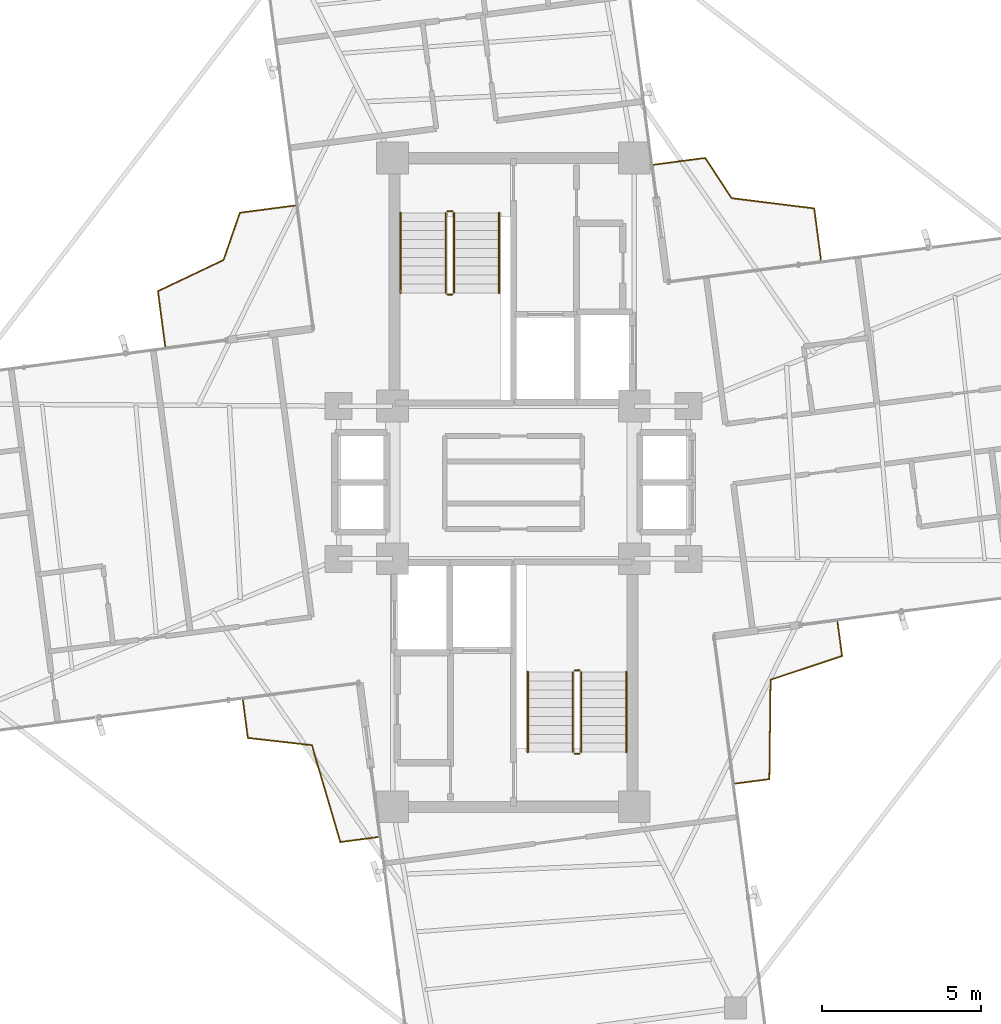
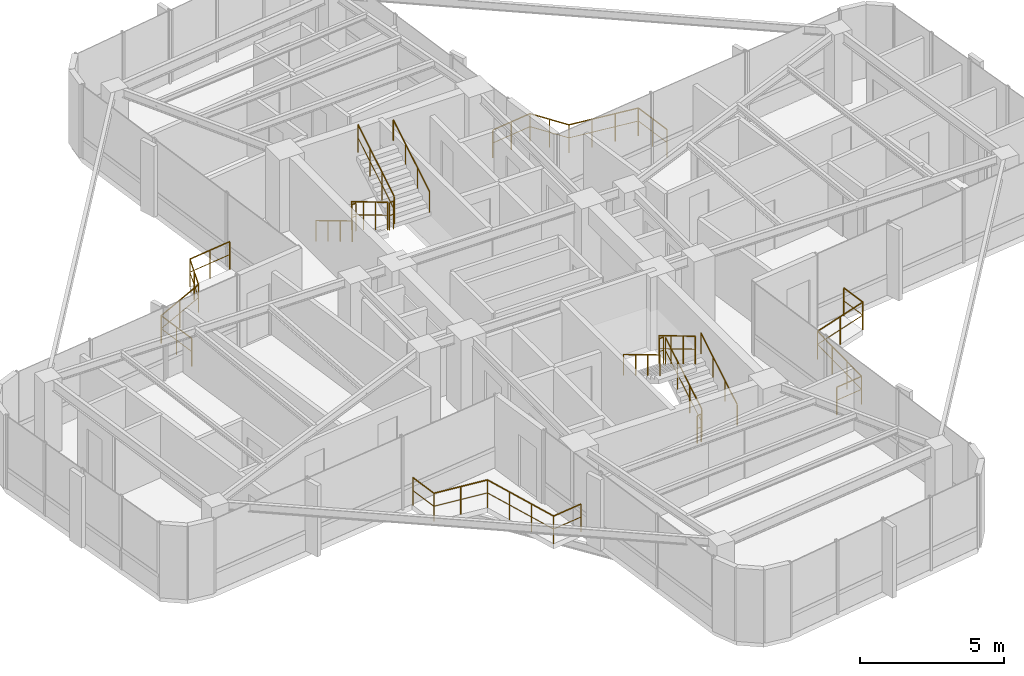
# One storey, part 22 of 22: 16 railings.
"""IFC4 building model written with IfcOpenShell, lengths in metres."""

from ifc_helpers import new_model, si_unit, direction, frame, origin, origin_2d, place, context, subcontext, project, spatial, circle, extrude, material, type_object, element, save


model = new_model("IFC4")

# Units and contexts
model_context = context("Model", 3, precision=1e-05, world=origin(), true_north=direction((0.0, 1.0)))
body_context = subcontext(model_context, "Body", "Model", "MODEL_VIEW")
ifc_project = project(units=[si_unit("LENGTHUNIT", "METRE"), si_unit("AREAUNIT", "SQUARE_METRE"), si_unit("VOLUMEUNIT", "CUBIC_METRE"), si_unit("PLANEANGLEUNIT", "RADIAN"), si_unit("MASSUNIT", "GRAM", prefix="KILO")], contexts=[model_context])

# Site, building, storey
site_placement = place(None, origin())
site = spatial("IfcSite", under=ifc_project, at=site_placement, CompositionType="ELEMENT")
building_placement = place(site_placement, origin())
building = spatial("IfcBuilding", under=site, at=building_placement, Name="Sahyath Konkavel Grand Hotel", CompositionType="ELEMENT")
storey_placement = place(building_placement, frame((0.0, 0.0, 244.5)))
storey = spatial("IfcBuildingStorey", under=building, at=storey_placement, Name="L68", CompositionType="ELEMENT", Elevation=244.5)

# Railings
ifc_material_1 = material(Name="Anodised Bronze Aluminium", Category="aluminium")
railing_type_1 = type_object("IfcRailingType", Name="RLG-BALC-1200", PredefinedType="GUARDRAIL", material=ifc_material_1)
railing_1_placement = place(storey_placement, frame((9.671142578125, 6.999267578125, 0.0)))
element("IfcRailing", 1, at=railing_1_placement, inside=storey, type_object=railing_type_1, Name="L68 Winter-Garden Guard NE", PredefinedType="GUARDRAIL", context=body_context, shape_type="SweptSolid", body=[
    extrude(circle(Radius=0.02392578125, at=origin_2d()), frame((-0.000244140625, 0.001953125, 1.17578125), z_axis=(-0.13048931135, 0.991449716135, 0.0), x_axis=(-0.991449716135, -0.13048931135, 0.0)), (0.0, 0.0, 1.0), 1.62939453125),
    extrude(circle(Radius=0.01416015625, at=origin_2d()), frame((-0.000244140625, 0.001953125, 0.6240234375), z_axis=(-0.13048931135, 0.991449716135, 0.0), x_axis=(-0.991449716135, -0.13048931135, 0.0)), (0.0, 0.0, 1.0), 1.62939453125),
    extrude(circle(Radius=0.02392578125, at=origin_2d()), frame((-0.215087890625, 1.61962890625, 1.17578125), z_axis=(-0.992390831583, 0.123127727953, 0.0), x_axis=(-0.123127727953, -0.992390831583, 0.0)), (0.0, 0.0, 1.0), 2.61328125),
    extrude(circle(Radius=0.01416015625, at=origin_2d()), frame((-0.215087890625, 1.61962890625, 0.6240234375), z_axis=(-0.992390831583, 0.123127727953, 0.0), x_axis=(-0.123127727953, -0.992390831583, 0.0)), (0.0, 0.0, 1.0), 2.61328125),
    extrude(circle(Radius=0.02392578125, at=origin_2d()), frame((-2.8115234375, 1.943359375, 1.17578125), z_axis=(-0.548843140787, 0.835925359594, 0.0), x_axis=(-0.835925359594, -0.548843140787, 0.0)), (0.0, 0.0, 1.0), 1.509765625),
    extrude(circle(Radius=0.01416015625, at=origin_2d()), frame((-2.8115234375, 1.943359375, 0.6240234375), z_axis=(-0.548843140787, 0.835925359594, 0.0), x_axis=(-0.835925359594, -0.548843140787, 0.0)), (0.0, 0.0, 1.0), 1.509765625),
    extrude(circle(Radius=0.02392578125, at=origin_2d()), frame((-3.643310546875, 3.206787109375, 1.17578125), z_axis=(-0.991449716135, -0.13048931135, 0.0), x_axis=(0.13048931135, -0.991449716135, 0.0)), (0.0, 0.0, 1.0), 1.62939453125),
    extrude(circle(Radius=0.01416015625, at=origin_2d()), frame((-3.643310546875, 3.206787109375, 0.6240234375), z_axis=(-0.991449716135, -0.13048931135, 0.0), x_axis=(0.13048931135, -0.991449716135, 0.0)), (0.0, 0.0, 1.0), 1.62939453125),
    extrude(circle(Radius=0.02099609375, at=origin_2d()), origin(), (0.0, 0.0, 1.0), 1.15185546875),
    extrude(circle(Radius=0.02099609375, at=origin_2d()), frame((-0.1064453125, 0.8095703125, 0.0)), (0.0, 0.0, 1.0), 1.15185546875),
    extrude(circle(Radius=0.02099609375, at=origin_2d()), frame((-0.213134765625, 1.619384765625, 0.0)), (0.0, 0.0, 1.0), 1.15185546875),
    extrude(circle(Radius=0.02099609375, at=origin_2d()), frame((-1.078857421875, 1.726806640625, 0.0)), (0.0, 0.0, 1.0), 1.15185546875),
    extrude(circle(Radius=0.02099609375, at=origin_2d()), frame((-1.94482421875, 1.834228515625, 0.0)), (0.0, 0.0, 1.0), 1.15185546875),
    extrude(circle(Radius=0.02099609375, at=origin_2d()), frame((-2.810546875, 1.941650390625, 0.0)), (0.0, 0.0, 1.0), 1.15185546875),
    extrude(circle(Radius=0.02099609375, at=origin_2d()), frame((-3.22607421875, 2.57421875, 0.0)), (0.0, 0.0, 1.0), 1.15185546875),
    extrude(circle(Radius=0.02099609375, at=origin_2d()), frame((-3.641357421875, 3.20703125, 0.0)), (0.0, 0.0, 1.0), 1.15185546875),
    extrude(circle(Radius=0.02099609375, at=origin_2d()), frame((-4.451171875, 3.1005859375, 0.0)), (0.0, 0.0, 1.0), 1.15185546875),
    extrude(circle(Radius=0.02099609375, at=origin_2d()), frame((-5.2607421875, 2.993896484375, 0.0)), (0.0, 0.0, 1.0), 1.15185546875),
])
railing_2_placement = place(storey_placement, frame((-6.872802734375, 8.71044921875, 0.0)))
element("IfcRailing", 2, at=railing_2_placement, inside=storey, type_object=railing_type_1, Name="L68 Winter-Garden Guard NW", PredefinedType="GUARDRAIL", context=body_context, shape_type="SweptSolid", body=[
    extrude(circle(Radius=0.02392578125, at=origin_2d()), frame((-0.001953125, -0.000244140625, 1.17578125), z_axis=(-0.991446208008, -0.130515963112, 0.0), x_axis=(0.130515963112, -0.991446208008, 0.0)), (0.0, 0.0, 1.0), 1.7431640625),
    extrude(circle(Radius=0.01416015625, at=origin_2d()), frame((-0.001953125, -0.000244140625, 0.6240234375), z_axis=(-0.991446208008, -0.130515963112, 0.0), x_axis=(0.130515963112, -0.991446208008, 0.0)), (0.0, 0.0, 1.0), 1.7431640625),
    extrude(circle(Radius=0.02392578125, at=origin_2d()), frame((-1.73291015625, -0.22998046875, 1.17578125), z_axis=(-0.326598452676, -0.945163187344, 0.0), x_axis=(0.945163187344, -0.326598452676, 0.0)), (0.0, 0.0, 1.0), 1.568115234375),
    extrude(circle(Radius=0.01416015625, at=origin_2d()), frame((-1.73291015625, -0.22998046875, 0.6240234375), z_axis=(-0.326598452676, -0.945163187344, 0.0), x_axis=(0.945163187344, -0.326598452676, 0.0)), (0.0, 0.0, 1.0), 1.568115234375),
    extrude(circle(Radius=0.02392578125, at=origin_2d()), frame((-2.247314453125, -1.71484375, 1.17578125), z_axis=(-0.903223655988, -0.429170161198, 0.0), x_axis=(0.429170161198, -0.903223655988, 0.0)), (0.0, 0.0, 1.0), 2.280517578125),
    extrude(circle(Radius=0.01416015625, at=origin_2d()), frame((-2.247314453125, -1.71484375, 0.6240234375), z_axis=(-0.903223655988, -0.429170161198, 0.0), x_axis=(0.429170161198, -0.903223655988, 0.0)), (0.0, 0.0, 1.0), 2.280517578125),
    extrude(circle(Radius=0.02392578125, at=origin_2d()), frame((-4.308837890625, -2.6962890625, 1.17578125), z_axis=(0.130515963112, -0.991446208008, 0.0), x_axis=(0.991446208008, 0.130515963112, 0.0)), (0.0, 0.0, 1.0), 1.7431640625),
    extrude(circle(Radius=0.01416015625, at=origin_2d()), frame((-4.308837890625, -2.6962890625, 0.6240234375), z_axis=(0.130515963112, -0.991446208008, 0.0), x_axis=(0.991446208008, 0.130515963112, 0.0)), (0.0, 0.0, 1.0), 1.7431640625),
    extrude(circle(Radius=0.02099609375, at=origin_2d()), origin(), (0.0, 0.0, 1.0), 1.15185546875),
    extrude(circle(Radius=0.02099609375, at=origin_2d()), frame((-0.8662109375, -0.114013671875, 0.0)), (0.0, 0.0, 1.0), 1.15185546875),
    extrude(circle(Radius=0.02099609375, at=origin_2d()), frame((-1.732177734375, -0.22802734375, 0.0)), (0.0, 0.0, 1.0), 1.15185546875),
    extrude(circle(Radius=0.02099609375, at=origin_2d()), frame((-1.98876953125, -0.970947265625, 0.0)), (0.0, 0.0, 1.0), 1.15185546875),
    extrude(circle(Radius=0.02099609375, at=origin_2d()), frame((-2.24560546875, -1.7138671875, 0.0)), (0.0, 0.0, 1.0), 1.15185546875),
    extrude(circle(Radius=0.02099609375, at=origin_2d()), frame((-3.27734375, -2.2041015625, 0.0)), (0.0, 0.0, 1.0), 1.15185546875),
    extrude(circle(Radius=0.02099609375, at=origin_2d()), frame((-4.30908203125, -2.6943359375, 0.0)), (0.0, 0.0, 1.0), 1.15185546875),
    extrude(circle(Radius=0.02099609375, at=origin_2d()), frame((-4.195068359375, -3.560546875, 0.0)), (0.0, 0.0, 1.0), 1.15185546875),
    extrude(circle(Radius=0.02099609375, at=origin_2d()), frame((-4.0810546875, -4.426513671875, 0.0)), (0.0, 0.0, 1.0), 1.15185546875),
])
railing_3_placement = place(storey_placement, frame((-8.51123046875, -6.846435546875, 0.0)))
element("IfcRailing", 3, at=railing_3_placement, inside=storey, type_object=railing_type_1, Name="L68 Winter-Garden Guard SW", PredefinedType="GUARDRAIL", context=body_context, shape_type="SweptSolid", body=[
    extrude(circle(Radius=0.02392578125, at=origin_2d()), frame((0.000244140625, -0.001953125, 1.17578125), z_axis=(0.130549343114, -0.991441813226, 0.0), x_axis=(0.991441813226, 0.130549343114, 0.0)), (0.0, 0.0, 1.0), 1.19482421875),
    extrude(circle(Radius=0.01416015625, at=origin_2d()), frame((0.000244140625, -0.001953125, 0.6240234375), z_axis=(0.130549343114, -0.991441813226, 0.0), x_axis=(0.991441813226, 0.130549343114, 0.0)), (0.0, 0.0, 1.0), 1.19482421875),
    extrude(circle(Radius=0.02392578125, at=origin_2d()), frame((0.158447265625, -1.188720703125, 1.17578125), z_axis=(0.993637462678, -0.112625897394, 0.0), x_axis=(0.112625897394, 0.993637462678, 0.0)), (0.0, 0.0, 1.0), 2.022705078125),
    extrude(circle(Radius=0.01416015625, at=origin_2d()), frame((0.158447265625, -1.188720703125, 0.6240234375), z_axis=(0.993637462678, -0.112625897394, 0.0), x_axis=(0.112625897394, 0.993637462678, 0.0)), (0.0, 0.0, 1.0), 2.022705078125),
    extrude(circle(Radius=0.02392578125, at=origin_2d()), frame((2.1708984375, -1.418701171875, 1.17578125), z_axis=(0.281812450564, -0.959469511088, 0.0), x_axis=(0.959469511088, 0.281812450564, 0.0)), (0.0, 0.0, 1.0), 3.171142578125),
    extrude(circle(Radius=0.01416015625, at=origin_2d()), frame((2.1708984375, -1.418701171875, 0.6240234375), z_axis=(0.281812450564, -0.959469511088, 0.0), x_axis=(0.959469511088, 0.281812450564, 0.0)), (0.0, 0.0, 1.0), 3.171142578125),
    extrude(circle(Radius=0.02392578125, at=origin_2d()), frame((3.067138671875, -4.462890625, 1.17578125), z_axis=(0.991438341083, 0.130575709191, 0.0), x_axis=(-0.130575709191, 0.991438341083, 0.0)), (0.0, 0.0, 1.0), 1.194580078125),
    extrude(circle(Radius=0.01416015625, at=origin_2d()), frame((3.067138671875, -4.462890625, 0.6240234375), z_axis=(0.991438341083, 0.130575709191, 0.0), x_axis=(-0.130575709191, 0.991438341083, 0.0)), (0.0, 0.0, 1.0), 1.194580078125),
    extrude(circle(Radius=0.02099609375, at=origin_2d()), origin(), (0.0, 0.0, 1.0), 1.15185546875),
    extrude(circle(Radius=0.02099609375, at=origin_2d()), frame((0.156494140625, -1.1884765625, 0.0)), (0.0, 0.0, 1.0), 1.15185546875),
    extrude(circle(Radius=0.02099609375, at=origin_2d()), frame((1.16357421875, -1.302734375, 0.0)), (0.0, 0.0, 1.0), 1.15185546875),
    extrude(circle(Radius=0.02099609375, at=origin_2d()), frame((2.17041015625, -1.416748046875, 0.0)), (0.0, 0.0, 1.0), 1.15185546875),
    extrude(circle(Radius=0.02099609375, at=origin_2d()), frame((2.46875, -2.43212890625, 0.0)), (0.0, 0.0, 1.0), 1.15185546875),
    extrude(circle(Radius=0.02099609375, at=origin_2d()), frame((2.766845703125, -3.44775390625, 0.0)), (0.0, 0.0, 1.0), 1.15185546875),
    extrude(circle(Radius=0.02099609375, at=origin_2d()), frame((3.065185546875, -4.463134765625, 0.0)), (0.0, 0.0, 1.0), 1.15185546875),
    extrude(circle(Radius=0.02099609375, at=origin_2d()), frame((4.25341796875, -4.306640625, 0.0)), (0.0, 0.0, 1.0), 1.15185546875),
])
railing_4_placement = place(storey_placement, frame((6.972900390625, -9.471923828125, 0.0)))
element("IfcRailing", 4, at=railing_4_placement, inside=storey, type_object=railing_type_1, Name="L68 Winter-Garden Guard SE", PredefinedType="GUARDRAIL", context=body_context, shape_type="SweptSolid", body=[
    extrude(circle(Radius=0.02392578125, at=origin_2d()), frame((0.001953125, 0.000244140625, 1.17578125), z_axis=(0.991446634816, 0.130512720879, 0.0), x_axis=(-0.130512720879, 0.991446634816, 0.0)), (0.0, 0.0, 1.0), 1.0810546875),
    extrude(circle(Radius=0.01416015625, at=origin_2d()), frame((0.001953125, 0.000244140625, 0.6240234375), z_axis=(0.991446634816, 0.130512720879, 0.0), x_axis=(-0.130512720879, 0.991446634816, 0.0)), (0.0, 0.0, 1.0), 1.0810546875),
    extrude(circle(Radius=0.02392578125, at=origin_2d()), frame((1.07568359375, 0.1435546875, 1.17578125), z_axis=(0.01194947092, 0.999928602524, 0.0), x_axis=(-0.999928602524, 0.01194947092, 0.0)), (0.0, 0.0, 1.0), 3.1220703125),
    extrude(circle(Radius=0.01416015625, at=origin_2d()), frame((1.07568359375, 0.1435546875, 0.6240234375), z_axis=(0.01194947092, 0.999928602524, 0.0), x_axis=(-0.999928602524, 0.01194947092, 0.0)), (0.0, 0.0, 1.0), 3.1220703125),
    extrude(circle(Radius=0.02392578125, at=origin_2d()), frame((1.114990234375, 3.26806640625, 1.17578125), z_axis=(0.949248765771, 0.314526279797, 0.0), x_axis=(-0.314526279797, 0.949248765771, 0.0)), (0.0, 0.0, 1.0), 2.3642578125),
    extrude(circle(Radius=0.01416015625, at=origin_2d()), frame((1.114990234375, 3.26806640625, 0.6240234375), z_axis=(0.949248765771, 0.314526279797, 0.0), x_axis=(-0.314526279797, 0.949248765771, 0.0)), (0.0, 0.0, 1.0), 2.3642578125),
    extrude(circle(Radius=0.02392578125, at=origin_2d()), frame((3.36083984375, 4.01416015625, 1.17578125), z_axis=(-0.130541844348, 0.991442800606, 0.0), x_axis=(-0.991442800606, -0.130541844348, 0.0)), (0.0, 0.0, 1.0), 1.080810546875),
    extrude(circle(Radius=0.01416015625, at=origin_2d()), frame((3.36083984375, 4.01416015625, 0.6240234375), z_axis=(-0.130541844348, 0.991442800606, 0.0), x_axis=(-0.991442800606, -0.130541844348, 0.0)), (0.0, 0.0, 1.0), 1.080810546875),
    extrude(circle(Radius=0.02099609375, at=origin_2d()), origin(), (0.0, 0.0, 1.0), 1.15185546875),
    extrude(circle(Radius=0.02099609375, at=origin_2d()), frame((1.07568359375, 0.1416015625, 0.0)), (0.0, 0.0, 1.0), 1.15185546875),
    extrude(circle(Radius=0.02099609375, at=origin_2d()), frame((1.088134765625, 1.18359375, 0.0)), (0.0, 0.0, 1.0), 1.15185546875),
    extrude(circle(Radius=0.02099609375, at=origin_2d()), frame((1.1005859375, 2.225341796875, 0.0)), (0.0, 0.0, 1.0), 1.15185546875),
    extrude(circle(Radius=0.02099609375, at=origin_2d()), frame((1.113037109375, 3.267333984375, 0.0)), (0.0, 0.0, 1.0), 1.15185546875),
    extrude(circle(Radius=0.02099609375, at=origin_2d()), frame((2.237060546875, 3.6396484375, 0.0)), (0.0, 0.0, 1.0), 1.15185546875),
    extrude(circle(Radius=0.02099609375, at=origin_2d()), frame((3.361083984375, 4.01220703125, 0.0)), (0.0, 0.0, 1.0), 1.15185546875),
    extrude(circle(Radius=0.02099609375, at=origin_2d()), frame((3.219482421875, 5.087646484375, 0.0)), (0.0, 0.0, 1.0), 1.15185546875),
])
ifc_material_2 = material(Name="Steel E350", Category="steel")
railing_type_2 = type_object("IfcRailingType", Name="RLG-STAIR-GRD", PredefinedType="GUARDRAIL", material=ifc_material_2)
railing_5_placement = place(storey_placement, frame((-2.1298828125, 8.47998046875, 0.16748046875)))
element("IfcRailing", 5, at=railing_5_placement, inside=storey, type_object=railing_type_2, Name="L68 ST-1 stair guard 1", PredefinedType="GUARDRAIL", context=body_context, shape_type="SweptSolid", body=[
    extrude(circle(Radius=0.02392578125, at=origin_2d()), frame((0.0, -0.001708984375, 1.177001953125), z_axis=(0.0, -0.858159760407, 0.513382728203), x_axis=(1.0, 0.0, 0.0)), (0.0, 0.0, 1.0), 2.9326171875),
    extrude(circle(Radius=0.01416015625, at=origin_2d()), frame((0.0, -0.001708984375, 0.625), z_axis=(0.0, -0.858159760407, 0.513382728203), x_axis=(1.0, 0.0, 0.0)), (0.0, 0.0, 1.0), 2.9326171875),
    extrude(circle(Radius=0.02099609375, at=origin_2d()), origin(), (0.0, 0.0, 1.0), 1.15185546875),
    extrude(circle(Radius=0.02099609375, at=origin_2d()), frame((0.0, -0.840087890625, 0.50244140625)), (0.0, 0.0, 1.0), 1.15185546875),
    extrude(circle(Radius=0.02099609375, at=origin_2d()), frame((0.0, -1.679931640625, 1.005126953125)), (0.0, 0.0, 1.0), 1.15185546875),
    extrude(circle(Radius=0.02099609375, at=origin_2d()), frame((0.0, -2.52001953125, 1.507568359375)), (0.0, 0.0, 1.0), 1.15185546875),
])
railing_6_placement = place(storey_placement, frame((-2.080078125, 5.909912109375, 1.675048828125)))
element("IfcRailing", 6, at=railing_6_placement, inside=storey, type_object=railing_type_2, Name="L68 ST-1 stair guard 2", PredefinedType="GUARDRAIL", context=body_context, shape_type="SweptSolid", body=[
    extrude(circle(Radius=0.02392578125, at=origin_2d()), frame((0.001953125, 0.0, 1.17578125), z_axis=(1.0, 0.0, 0.0), x_axis=(0.0, 1.0, 0.0)), (0.0, 0.0, 1.0), 0.15625),
    extrude(circle(Radius=0.01416015625, at=origin_2d()), frame((0.001953125, 0.0, 0.6240234375), z_axis=(1.0, 0.0, 0.0), x_axis=(0.0, 1.0, 0.0)), (0.0, 0.0, 1.0), 0.15625),
    extrude(circle(Radius=0.02099609375, at=origin_2d()), origin(), (0.0, 0.0, 1.0), 1.15185546875),
    extrude(circle(Radius=0.02099609375, at=origin_2d()), frame((0.16015625, 0.0, 0.0)), (0.0, 0.0, 1.0), 1.15185546875),
])
railing_7_placement = place(storey_placement, frame((-1.8701171875, 5.9599609375, 1.842529296875)))
element("IfcRailing", 7, at=railing_7_placement, inside=storey, type_object=railing_type_2, Name="L68 ST-1 stair guard 3", PredefinedType="GUARDRAIL", context=body_context, shape_type="SweptSolid", body=[
    extrude(circle(Radius=0.02392578125, at=origin_2d()), frame((0.0, 0.001708984375, 1.177001953125), z_axis=(0.0, 0.858159760407, 0.513382728203), x_axis=(-1.0, 0.0, 0.0)), (0.0, 0.0, 1.0), 2.9326171875),
    extrude(circle(Radius=0.01416015625, at=origin_2d()), frame((0.0, 0.001708984375, 0.625), z_axis=(0.0, 0.858159760407, 0.513382728203), x_axis=(-1.0, 0.0, 0.0)), (0.0, 0.0, 1.0), 2.9326171875),
    extrude(circle(Radius=0.02099609375, at=origin_2d()), origin(), (0.0, 0.0, 1.0), 1.15185546875),
    extrude(circle(Radius=0.02099609375, at=origin_2d()), frame((0.0, 0.840087890625, 0.50244140625)), (0.0, 0.0, 1.0), 1.15185546875),
    extrude(circle(Radius=0.02099609375, at=origin_2d()), frame((0.0, 1.679931640625, 1.005126953125)), (0.0, 0.0, 1.0), 1.15185546875),
    extrude(circle(Radius=0.02099609375, at=origin_2d()), frame((0.0, 2.52001953125, 1.507568359375)), (0.0, 0.0, 1.0), 1.15185546875),
])
railing_8_placement = place(storey_placement, frame((-2.080078125, 8.530029296875, 0.0)))
element("IfcRailing", 8, at=railing_8_placement, inside=storey, type_object=railing_type_2, Name="L68 ST-1 stair guard 4", PredefinedType="GUARDRAIL", context=body_context, shape_type="SweptSolid", body=[
    extrude(circle(Radius=0.02392578125, at=origin_2d()), frame((0.001953125, 0.0, 1.17578125), z_axis=(1.0, 0.0, 0.0), x_axis=(0.0, 1.0, 0.0)), (0.0, 0.0, 1.0), 0.15625),
    extrude(circle(Radius=0.01416015625, at=origin_2d()), frame((0.001953125, 0.0, 0.6240234375), z_axis=(1.0, 0.0, 0.0), x_axis=(0.0, 1.0, 0.0)), (0.0, 0.0, 1.0), 0.15625),
    extrude(circle(Radius=0.02099609375, at=origin_2d()), origin(), (0.0, 0.0, 1.0), 1.15185546875),
    extrude(circle(Radius=0.02099609375, at=origin_2d()), frame((0.16015625, 0.0, 0.0)), (0.0, 0.0, 1.0), 1.15185546875),
])
railing_9_placement = place(storey_placement, frame((2.1298828125, -8.47998046875, 0.16748046875)))
element("IfcRailing", 9, at=railing_9_placement, inside=storey, type_object=railing_type_2, Name="L68 ST-2 stair guard 1", PredefinedType="GUARDRAIL", context=body_context, shape_type="SweptSolid", body=[
    extrude(circle(Radius=0.02392578125, at=origin_2d()), frame((0.0, 0.001708984375, 1.177001953125), z_axis=(0.0, 0.858159760407, 0.513382728203), x_axis=(-1.0, 0.0, 0.0)), (0.0, 0.0, 1.0), 2.9326171875),
    extrude(circle(Radius=0.01416015625, at=origin_2d()), frame((0.0, 0.001708984375, 0.625), z_axis=(0.0, 0.858159760407, 0.513382728203), x_axis=(-1.0, 0.0, 0.0)), (0.0, 0.0, 1.0), 2.9326171875),
    extrude(circle(Radius=0.02099609375, at=origin_2d()), origin(), (0.0, 0.0, 1.0), 1.15185546875),
    extrude(circle(Radius=0.02099609375, at=origin_2d()), frame((0.0, 0.840087890625, 0.50244140625)), (0.0, 0.0, 1.0), 1.15185546875),
    extrude(circle(Radius=0.02099609375, at=origin_2d()), frame((0.0, 1.679931640625, 1.005126953125)), (0.0, 0.0, 1.0), 1.15185546875),
    extrude(circle(Radius=0.02099609375, at=origin_2d()), frame((0.0, 2.52001953125, 1.507568359375)), (0.0, 0.0, 1.0), 1.15185546875),
])
railing_10_placement = place(storey_placement, frame((2.080078125, -5.909912109375, 1.675048828125)))
element("IfcRailing", 10, at=railing_10_placement, inside=storey, type_object=railing_type_2, Name="L68 ST-2 stair guard 2", PredefinedType="GUARDRAIL", context=body_context, shape_type="SweptSolid", body=[
    extrude(circle(Radius=0.02392578125, at=origin_2d()), frame((-0.001953125, 0.0, 1.17578125), z_axis=(-1.0, 0.0, 0.0), x_axis=(0.0, -1.0, 0.0)), (0.0, 0.0, 1.0), 0.15625),
    extrude(circle(Radius=0.01416015625, at=origin_2d()), frame((-0.001953125, 0.0, 0.6240234375), z_axis=(-1.0, 0.0, 0.0), x_axis=(0.0, -1.0, 0.0)), (0.0, 0.0, 1.0), 0.15625),
    extrude(circle(Radius=0.02099609375, at=origin_2d()), origin(), (0.0, 0.0, 1.0), 1.15185546875),
    extrude(circle(Radius=0.02099609375, at=origin_2d()), frame((-0.16015625, 0.0, 0.0)), (0.0, 0.0, 1.0), 1.15185546875),
])
railing_11_placement = place(storey_placement, frame((1.8701171875, -5.9599609375, 1.842529296875)))
element("IfcRailing", 11, at=railing_11_placement, inside=storey, type_object=railing_type_2, Name="L68 ST-2 stair guard 3", PredefinedType="GUARDRAIL", context=body_context, shape_type="SweptSolid", body=[
    extrude(circle(Radius=0.02392578125, at=origin_2d()), frame((0.0, -0.001708984375, 1.177001953125), z_axis=(0.0, -0.858159760407, 0.513382728203), x_axis=(1.0, 0.0, 0.0)), (0.0, 0.0, 1.0), 2.9326171875),
    extrude(circle(Radius=0.01416015625, at=origin_2d()), frame((0.0, -0.001708984375, 0.625), z_axis=(0.0, -0.858159760407, 0.513382728203), x_axis=(1.0, 0.0, 0.0)), (0.0, 0.0, 1.0), 2.9326171875),
    extrude(circle(Radius=0.02099609375, at=origin_2d()), origin(), (0.0, 0.0, 1.0), 1.15185546875),
    extrude(circle(Radius=0.02099609375, at=origin_2d()), frame((0.0, -0.840087890625, 0.50244140625)), (0.0, 0.0, 1.0), 1.15185546875),
    extrude(circle(Radius=0.02099609375, at=origin_2d()), frame((0.0, -1.679931640625, 1.005126953125)), (0.0, 0.0, 1.0), 1.15185546875),
    extrude(circle(Radius=0.02099609375, at=origin_2d()), frame((0.0, -2.52001953125, 1.507568359375)), (0.0, 0.0, 1.0), 1.15185546875),
])
railing_12_placement = place(storey_placement, frame((2.080078125, -8.530029296875, 0.0)))
element("IfcRailing", 12, at=railing_12_placement, inside=storey, type_object=railing_type_2, Name="L68 ST-2 stair guard 4", PredefinedType="GUARDRAIL", context=body_context, shape_type="SweptSolid", body=[
    extrude(circle(Radius=0.02392578125, at=origin_2d()), frame((-0.001953125, 0.0, 1.17578125), z_axis=(-1.0, 0.0, 0.0), x_axis=(0.0, -1.0, 0.0)), (0.0, 0.0, 1.0), 0.15625),
    extrude(circle(Radius=0.01416015625, at=origin_2d()), frame((-0.001953125, 0.0, 0.6240234375), z_axis=(-1.0, 0.0, 0.0), x_axis=(0.0, -1.0, 0.0)), (0.0, 0.0, 1.0), 0.15625),
    extrude(circle(Radius=0.02099609375, at=origin_2d()), origin(), (0.0, 0.0, 1.0), 1.15185546875),
    extrude(circle(Radius=0.02099609375, at=origin_2d()), frame((-0.16015625, 0.0, 0.0)), (0.0, 0.0, 1.0), 1.15185546875),
])
railing_type_3 = type_object("IfcRailingType", Name="RLG-STAIR-HND", PredefinedType="HANDRAIL", material=ifc_material_1)
railing_13_placement = place(storey_placement, frame((-3.550048828125, 8.47998046875, 0.16748046875)))
element("IfcRailing", 13, at=railing_13_placement, inside=storey, type_object=railing_type_3, Name="L68 ST-1 stair handrail 1", PredefinedType="HANDRAIL", context=body_context, shape_type="SweptSolid", body=[
    extrude(circle(Radius=0.02392578125, at=origin_2d()), frame((0.0, -0.001708984375, 0.876953125), z_axis=(0.0, -0.858159760407, 0.513382728203), x_axis=(1.0, 0.0, 0.0)), (0.0, 0.0, 1.0), 2.9326171875),
    extrude(circle(Radius=0.02099609375, at=origin_2d()), origin(), (0.0, 0.0, 1.0), 0.851806640625),
    extrude(circle(Radius=0.02099609375, at=origin_2d()), frame((0.0, -0.840087890625, 0.50244140625)), (0.0, 0.0, 1.0), 0.851806640625),
    extrude(circle(Radius=0.02099609375, at=origin_2d()), frame((0.0, -1.679931640625, 1.005126953125)), (0.0, 0.0, 1.0), 0.851806640625),
    extrude(circle(Radius=0.02099609375, at=origin_2d()), frame((0.0, -2.52001953125, 1.507568359375)), (0.0, 0.0, 1.0), 0.851806640625),
])
for number, where, name in (
    (14, (-0.449951171875, 5.9599609375, 1.842529296875), "L68 ST-1 stair handrail 2"),
    (15, (3.550048828125, -8.47998046875, 0.16748046875), "L68 ST-2 stair handrail 1"),
):
    element("IfcRailing", number, at=place(storey_placement, frame(where)), inside=storey, type_object=railing_type_3, Name=name, PredefinedType="HANDRAIL", context=body_context, shape_type="SweptSolid", body=[
        extrude(circle(Radius=0.02392578125, at=origin_2d()), frame((0.0, 0.001708984375, 0.876953125), z_axis=(0.0, 0.858159760407, 0.513382728203), x_axis=(-1.0, 0.0, 0.0)), (0.0, 0.0, 1.0), 2.9326171875),
        extrude(circle(Radius=0.02099609375, at=origin_2d()), origin(), (0.0, 0.0, 1.0), 0.851806640625),
        extrude(circle(Radius=0.02099609375, at=origin_2d()), frame((0.0, 0.840087890625, 0.50244140625)), (0.0, 0.0, 1.0), 0.851806640625),
        extrude(circle(Radius=0.02099609375, at=origin_2d()), frame((0.0, 1.679931640625, 1.005126953125)), (0.0, 0.0, 1.0), 0.851806640625),
        extrude(circle(Radius=0.02099609375, at=origin_2d()), frame((0.0, 2.52001953125, 1.507568359375)), (0.0, 0.0, 1.0), 0.851806640625),
    ])
railing_14_placement = place(storey_placement, frame((0.449951171875, -5.9599609375, 1.842529296875)))
element("IfcRailing", 16, at=railing_14_placement, inside=storey, type_object=railing_type_3, Name="L68 ST-2 stair handrail 2", PredefinedType="HANDRAIL", context=body_context, shape_type="SweptSolid", body=[
    extrude(circle(Radius=0.02392578125, at=origin_2d()), frame((0.0, -0.001708984375, 0.876953125), z_axis=(0.0, -0.858159760407, 0.513382728203), x_axis=(1.0, 0.0, 0.0)), (0.0, 0.0, 1.0), 2.9326171875),
    extrude(circle(Radius=0.02099609375, at=origin_2d()), origin(), (0.0, 0.0, 1.0), 0.851806640625),
    extrude(circle(Radius=0.02099609375, at=origin_2d()), frame((0.0, -0.840087890625, 0.50244140625)), (0.0, 0.0, 1.0), 0.851806640625),
    extrude(circle(Radius=0.02099609375, at=origin_2d()), frame((0.0, -1.679931640625, 1.005126953125)), (0.0, 0.0, 1.0), 0.851806640625),
    extrude(circle(Radius=0.02099609375, at=origin_2d()), frame((0.0, -2.52001953125, 1.507568359375)), (0.0, 0.0, 1.0), 0.851806640625),
])

save(model, "model.ifc")
